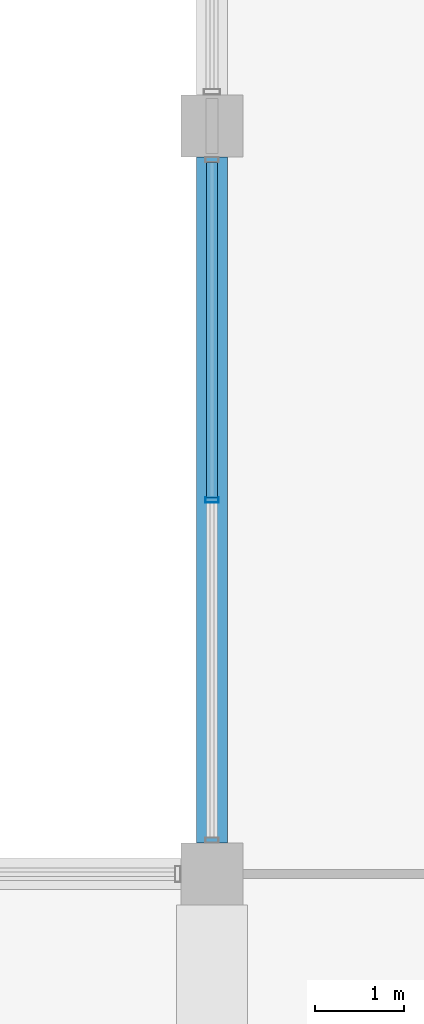
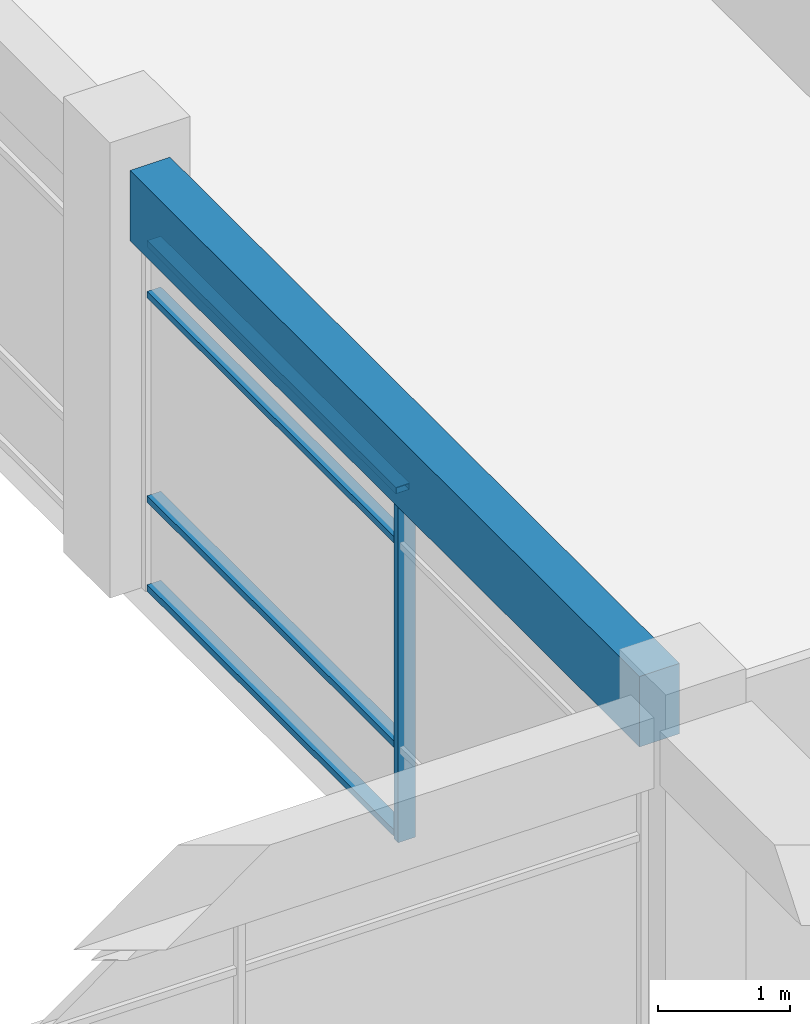
# One storey, part 14 of 53: 5 members, 1 beam, 1 element without a shape of its own.
"""IFC4 building model written with IfcOpenShell, lengths in metres."""

from ifc_helpers import new_model, si_unit, direction, frame, origin, origin_2d, place, context, subcontext, project, spatial, rectangle, hollow_rectangle, extrude, material, material_profile, profile_set, type_object, element, aggregate, save


model = new_model("IFC4")

# Units and contexts
model_context = context("Model", 3, precision=1e-05, world=origin(), true_north=direction((0.0, 1.0)))
body_context = subcontext(model_context, "Body", "Model", "MODEL_VIEW")
ifc_project = project(units=[si_unit("LENGTHUNIT", "METRE"), si_unit("AREAUNIT", "SQUARE_METRE"), si_unit("VOLUMEUNIT", "CUBIC_METRE"), si_unit("PLANEANGLEUNIT", "RADIAN"), si_unit("MASSUNIT", "GRAM", prefix="KILO"), si_unit("THERMODYNAMICTEMPERATUREUNIT", "KELVIN"), si_unit("POWERUNIT", "WATT")], contexts=[model_context])

# Site, building, storey
site_placement = place(None, origin())
site = spatial("IfcSite", under=ifc_project, at=site_placement, CompositionType="ELEMENT")
building_placement = place(site_placement, origin())
building = spatial("IfcBuilding", under=site, at=building_placement, Name="Srebrne Nadtorze General Hospital", CompositionType="ELEMENT")
storey_placement = place(building_placement, frame((0.0, 0.0, 18.0)))
storey = spatial("IfcBuildingStorey", under=building, at=storey_placement, Name="L04", CompositionType="ELEMENT", Elevation=18.0)

# Curtain wall, members
ifc_material_1 = material(Name="Anodised Aluminium", Category="aluminium")
curtain_wall_type = type_object("IfcCurtainWallType", Name="Unitised curtain wall 7700x3235", PredefinedType="NOTDEFINED", material=ifc_material_1)
curtain_wall_placement = place(storey_placement, origin())
curtain_wall = element("IfcCurtainWall", 1, at=curtain_wall_placement, inside=storey, type_object=curtain_wall_type, Name="Curtain wall CW-112", PredefinedType="NOTDEFINED")
ifc_material_2 = material(Name="Anodised Aluminium", Category="aluminium")
ifc_material_profile_1 = material_profile(ifc_material_2, hollow_rectangle(XDim=0.06005859375, YDim=0.14990234375, WallThickness=0.00390625, at=origin_2d()), Name="AL-MUL-60x150")
ifc_profile_set_1 = profile_set([ifc_material_profile_1], Name="Anodised Aluminium")
member_type_1 = type_object("IfcMemberType", Name="Curtain mullion 60x150", PredefinedType="MULLION", material=ifc_profile_set_1)
member_1_placement = place(storey_placement, frame((132.60009765625, 12.60009765625, 0.0), z_axis=(0.0, 0.0, 1.0), x_axis=(0.0, 1.0, 0.0)))
member_1 = element("IfcMember", 2, at=member_1_placement, type_object=member_type_1, Name="CW-112 mullion 2", PredefinedType="MULLION", context=body_context, shape_type="SweptSolid", body=[
    extrude(hollow_rectangle(XDim=0.06005859375, YDim=0.14990234375, WallThickness=0.00390625, at=origin_2d()), origin(), (0.0, 0.0, 1.0), 3.235107421875),
])
ifc_material_3 = material(Name="Anodised Aluminium", Category="aluminium")
ifc_material_profile_2 = material_profile(ifc_material_3, hollow_rectangle(XDim=0.06005859375, YDim=0.1201171875, WallThickness=0.00390625, at=origin_2d()), Name="AL-TRN-60x120")
ifc_profile_set_2 = profile_set([ifc_material_profile_2], Name="Anodised Aluminium")
member_type_2 = type_object("IfcMemberType", Name="Curtain transom 60x120", PredefinedType="USERDEFINED", material=ifc_profile_set_2)
member_2_placement = place(storey_placement, frame((132.60009765625, 12.6298828125, 0.030029296875), z_axis=(0.0, 1.0, 0.0), x_axis=(0.0, 0.0, 1.0)))
member_2 = element("IfcMember", 3, at=member_2_placement, type_object=member_type_2, Name="CW-112 transom 2.1", ObjectType="TRANSOM", PredefinedType="USERDEFINED", context=body_context, shape_type="SweptSolid", body=[
    extrude(hollow_rectangle(XDim=0.06005859375, YDim=0.1201171875, WallThickness=0.00390625, at=origin_2d()), origin(), (0.0, 0.0, 1.0), 3.760009765625),
])
member_3_placement = place(storey_placement, frame((132.60009765625, 12.6298828125, 0.85009765625), z_axis=(0.0, 1.0, 0.0), x_axis=(0.0, 0.0, 1.0)))
member_3 = element("IfcMember", 4, at=member_3_placement, type_object=member_type_2, Name="CW-112 transom 2.2", ObjectType="TRANSOM", PredefinedType="USERDEFINED", context=body_context, shape_type="SweptSolid", body=[
    extrude(hollow_rectangle(XDim=0.06005859375, YDim=0.1201171875, WallThickness=0.00390625, at=origin_2d()), origin(), (0.0, 0.0, 1.0), 3.760009765625),
])
member_4_placement = place(storey_placement, frame((132.60009765625, 12.6298828125, 2.735107421875), z_axis=(0.0, 1.0, 0.0), x_axis=(0.0, 0.0, 1.0)))
member_4 = element("IfcMember", 5, at=member_4_placement, type_object=member_type_2, Name="CW-112 transom 2.3", ObjectType="TRANSOM", PredefinedType="USERDEFINED", context=body_context, shape_type="SweptSolid", body=[
    extrude(hollow_rectangle(XDim=0.06005859375, YDim=0.1201171875, WallThickness=0.00390625, at=origin_2d()), origin(), (0.0, 0.0, 1.0), 3.760009765625),
])
member_5_placement = place(storey_placement, frame((132.60009765625, 12.6298828125, 3.205078125), z_axis=(0.0, 1.0, 0.0), x_axis=(0.0, 0.0, 1.0)))
member_5 = element("IfcMember", 6, at=member_5_placement, type_object=member_type_2, Name="CW-112 transom 2.4", ObjectType="TRANSOM", PredefinedType="USERDEFINED", context=body_context, shape_type="SweptSolid", body=[
    extrude(hollow_rectangle(XDim=0.06005859375, YDim=0.1201171875, WallThickness=0.00390625, at=origin_2d()), origin(), (0.0, 0.0, 1.0), 3.760009765625),
])
aggregate(curtain_wall, [member_1, member_2, member_3, member_4, member_5])

# Beam
ifc_material_4 = material(Name="Concrete C35/45", Category="concrete")
ifc_material_profile_3 = material_profile(ifc_material_4, rectangle(XDim=0.35009765625, YDim=0.64990234375, at=origin_2d()), Name="RC-BM-350x650")
ifc_profile_set_3 = profile_set([ifc_material_profile_3], Name="Concrete C35/45")
beam_type = type_object("IfcBeamType", Name="Edge beam RC 350x650", PredefinedType="BEAM", material=ifc_profile_set_3)
beam_placement = place(storey_placement, frame((132.60009765625, 8.75, 3.56005859375), z_axis=(0.0, 1.0, 0.0), x_axis=(-1.0, 0.0, 0.0)))
element("IfcBeam", 7, at=beam_placement, inside=storey, type_object=beam_type, Name="Beam BM-L04-Y-0975", PredefinedType="BEAM", context=body_context, shape_type="SweptSolid", body=[
    extrude(rectangle(XDim=0.35009765625, YDim=0.64990234375, at=origin_2d()), origin(), (0.0, 0.0, 1.0), 7.699951171875),
])

save(model, "model.ifc")
